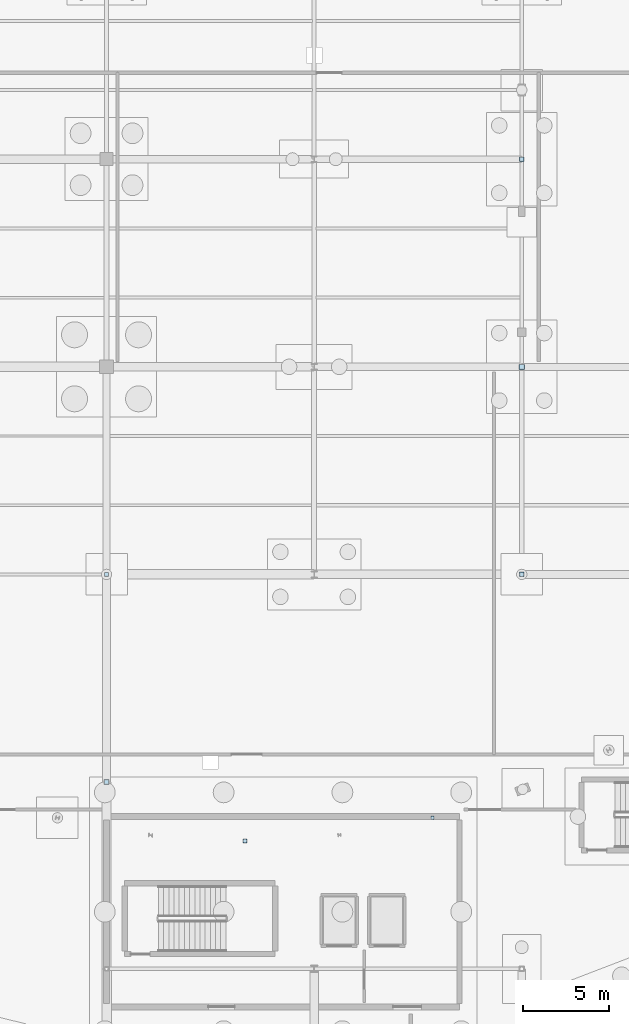
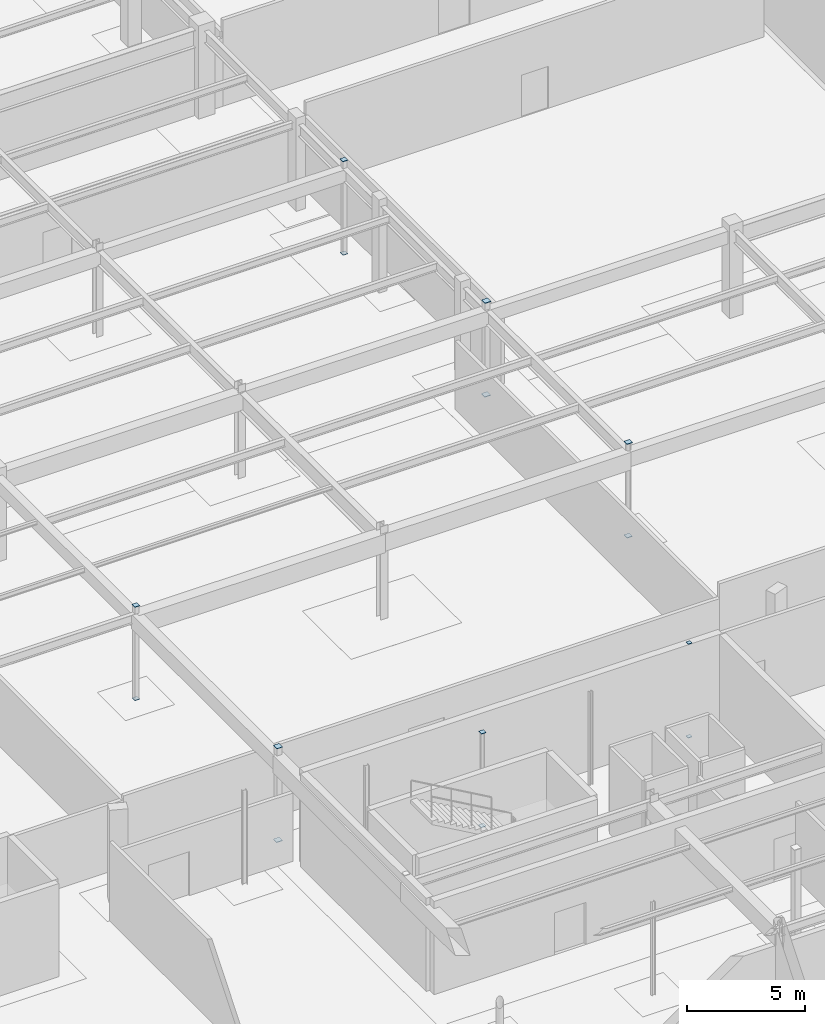
# One storey, part 95 of 136: 14 plates.
"""IFC4 building model written with IfcOpenShell, lengths in metres."""

import ifcopenshell
import ifcopenshell.guid

model = None  # the IFC model being written
_history = None  # IfcOwnerHistory: only IFC2X3 demands one
_inside = {}  # id of a spatial element -> (the spatial element, [elements in it])
_under = {}  # id of a project, library or spatial element -> (it, [spatial elements below it])
_declared = {}  # id of a project -> (the project, [libraries it declares])
_typed = {}  # id of a type object -> (the type object, [elements of that type])
_made_of = {}  # id of a material, layer set ... -> (it, [elements and type objects made of it])


def new_model(schema):
    """Start an empty IFC model of exactly this schema.

    Asked for "IFC4X3", IfcOpenShell would pick the latest addendum, in which some entities
    have other attributes; the version numbers below select the first issue.
    IFC2X3 requires an IfcOwnerHistory on every rooted entity: one is made here for all.
    """
    global model, _history
    if schema == "IFC4X3":
        model = ifcopenshell.file(schema_version=(4, 3, 0, 0))
    else:
        model = ifcopenshell.file(schema=schema)
    _inside.clear()
    _under.clear()
    _declared.clear()
    _typed.clear()
    _made_of.clear()
    _history = None
    if model.schema == "IFC2X3":
        org = make("IfcOrganization", Name="unknown")
        user = make(
            "IfcPersonAndOrganization",
            ThePerson=make("IfcPerson", FamilyName="unknown"),
            TheOrganization=org,
        )
        app = make(
            "IfcApplication",
            ApplicationDeveloper=org,
            Version="unknown",
            ApplicationFullName="unknown",
            ApplicationIdentifier="unknown",
        )
        _history = make(
            "IfcOwnerHistory",
            OwningUser=user,
            OwningApplication=app,
            ChangeAction="ADDED",
            CreationDate=0,
        )
    return model


def make(cls, **values):
    """One entity of the class cls with the attributes given. An attribute that is None is left unset."""
    return model.create_entity(
        cls, **{name: value for name, value in values.items() if value is not None}
    )


def rooted(cls, **values):
    """An entity with a GlobalId (a new one), such as an element, a storey or a relation."""
    return make(cls, GlobalId=ifcopenshell.guid.new(), OwnerHistory=_history, **values)


def si_unit(unit_type, name, prefix=None):
    """IfcSIUnit, for example si_unit("LENGTHUNIT", "METRE", prefix="MILLI")."""
    return make("IfcSIUnit", UnitType=unit_type, Prefix=prefix, Name=name)


def assignment(units):
    """IfcUnitAssignment: the units of a project."""
    return None if units is None else make("IfcUnitAssignment", Units=units)


def point(xyz):
    """IfcCartesianPoint."""
    return None if xyz is None else make("IfcCartesianPoint", Coordinates=xyz)


def direction(xyz):
    """IfcDirection."""
    return None if xyz is None else make("IfcDirection", DirectionRatios=xyz)


def frame(location, z_axis=None, x_axis=None):
    """IfcAxis2Placement3D, a coordinate frame: its origin and axes. An axis left out is left unset."""
    return make(
        "IfcAxis2Placement3D",
        Location=point(location),
        Axis=direction(z_axis),
        RefDirection=direction(x_axis),
    )


def frame_2d(location, x_axis=None):
    """IfcAxis2Placement2D, a coordinate frame in the plane: its origin and x axis."""
    return make(
        "IfcAxis2Placement2D", Location=point(location), RefDirection=direction(x_axis)
    )


def origin():
    """The frame at (0, 0, 0) with its axes left unset."""
    return frame((0.0, 0.0, 0.0))


def origin_2d():
    """The frame at (0, 0) in the plane with its x axis left unset."""
    return frame_2d((0.0, 0.0))


def place(relative_to, where):
    """IfcLocalPlacement: puts the frame where relative to a parent placement (None: the world)."""
    return make(
        "IfcLocalPlacement", PlacementRelTo=relative_to, RelativePlacement=where
    )


def context(
    kind, dimensions, precision=None, world=None, true_north=None, identifier=None
):
    """IfcGeometricRepresentationContext, for example the 3D "Model" context."""
    return make(
        "IfcGeometricRepresentationContext",
        ContextIdentifier=identifier,
        ContextType=kind,
        CoordinateSpaceDimension=dimensions,
        Precision=precision,
        WorldCoordinateSystem=world,
        TrueNorth=true_north,
    )


def subcontext(parent, identifier, kind, view, scale=None):
    """IfcGeometricRepresentationSubContext, for example "Body" below "Model"."""
    return make(
        "IfcGeometricRepresentationSubContext",
        ContextIdentifier=identifier,
        ContextType=kind,
        ParentContext=parent,
        TargetScale=scale,
        TargetView=view,
    )


def project(units=None, contexts=None):
    """IfcProject with its units and contexts."""
    return rooted(
        "IfcProject",
        Name="project",
        RepresentationContexts=contexts,
        UnitsInContext=assignment(units),
    )


def spatial(cls, under=None, at=None, **own):
    """A site, building, storey or space (cls), placed at a placement, below another one or the project."""
    s = rooted(cls, ObjectPlacement=at, **own)
    if under is not None:
        _under.setdefault(under.id(), (under, []))[1].append(s)
    return s


def profile(cls, at=None, kind="AREA", **sizes):
    """A parametric profile (cls). Its sizes go by their IFC names, for example OverallWidth=200.0."""
    return make(cls, ProfileType=kind, Position=at, **sizes)


def rectangle(**sizes):
    """IfcRectangleProfileDef."""
    return profile("IfcRectangleProfileDef", **sizes)


def extrude(swept, where, along, depth):
    """IfcExtrudedAreaSolid: the profile swept, set in the frame where, extruded along a direction by depth."""
    return make(
        "IfcExtrudedAreaSolid",
        SweptArea=swept,
        Position=where,
        ExtrudedDirection=direction(along),
        Depth=depth,
    )


def shape(context_of_items, identifier, shape_type, items):
    """IfcShapeRepresentation: the items that make up one representation, for example the "Body"."""
    return make(
        "IfcShapeRepresentation",
        ContextOfItems=context_of_items,
        RepresentationIdentifier=identifier,
        RepresentationType=shape_type,
        Items=items,
    )


def material(Name=None, Category=None):
    """IfcMaterial."""
    return make("IfcMaterial", Name=Name, Category=Category)


def layer(
    of_material, thickness, ventilated=None, Name=None, Category=None, Priority=None
):
    """IfcMaterialLayer: one layer of a wall or slab, of a material (None: an air gap)."""
    return make(
        "IfcMaterialLayer",
        Material=of_material,
        LayerThickness=thickness,
        IsVentilated=ventilated,
        Name=Name,
        Category=Category,
        Priority=Priority,
    )


def layer_set(layers, Name=None):
    """IfcMaterialLayerSet."""
    return make("IfcMaterialLayerSet", MaterialLayers=layers, LayerSetName=Name)


def made_of(thing, what):
    """Note that an element or type object is made of a material, layer set ...; save() writes the relation."""
    if what is not None:
        _made_of.setdefault(what.id(), (what, []))[1].append(thing)
    return thing


def type_object(cls, material=None, **own):
    """A type object (cls), such as IfcWallType, which elements share."""
    return made_of(rooted(cls, **own), material)


def element(
    cls,
    number,
    at=None,
    inside=None,
    cuts=None,
    type_object=None,
    material=None,
    context=None,
    identifier="Body",
    shape_type=None,
    held_by="IfcProductDefinitionShape",
    body=None,
    shapes=None,
    **own,
):
    """One element of the class cls, such as IfcWall. Its Tag is "e" and its number.

    at: its placement. inside: the storey or other place that contains it. cuts: it is an
    opening in that element (IfcRelVoidsElement). A single representation is given by context,
    identifier, shape_type and body (its items); several are given by shapes. held_by: the class
    of the entity that holds the representations. save() writes the other relations.
    """
    e = rooted(cls, Tag="e%d" % number, ObjectPlacement=at, **own)
    if body is not None:
        shapes = [shape(context, identifier, shape_type, body)]
    if shapes is not None:
        e.Representation = make(held_by, Representations=shapes)
    if inside is not None:
        _inside.setdefault(inside.id(), (inside, []))[1].append(e)
    if cuts is not None:
        rooted(
            "IfcRelVoidsElement", RelatingBuildingElement=cuts, RelatedOpeningElement=e
        )
    if type_object is not None:
        _typed.setdefault(type_object.id(), (type_object, []))[1].append(e)
    return made_of(e, material)


def aggregate(whole, parts):
    """IfcRelAggregates: a whole, such as a stair, and the parts it consists of."""
    return rooted("IfcRelAggregates", RelatingObject=whole, RelatedObjects=parts)


def save(model, path):
    """Write the relations noted so far, then the file.

    IfcRelAggregates (storeys below a building ...), IfcRelContainedInSpatialStructure (elements
    in a storey), IfcRelDefinesByType, IfcRelAssociatesMaterial and IfcRelDeclares: one each for
    every whole, place, type object, material and project.
    """
    for whole, parts in _under.values():
        aggregate(whole, parts)
    for where, things in _inside.values():
        rooted(
            "IfcRelContainedInSpatialStructure",
            RelatedElements=things,
            RelatingStructure=where,
        )
    for kind, things in _typed.values():
        rooted("IfcRelDefinesByType", RelatedObjects=things, RelatingType=kind)
    for what, things in _made_of.values():
        rooted("IfcRelAssociatesMaterial", RelatedObjects=things, RelatingMaterial=what)
    for by, libraries in _declared.values():
        rooted("IfcRelDeclares", RelatingContext=by, RelatedDefinitions=libraries)
    model.write(path)


model = new_model("IFC4")

# Units and contexts
model_context = context("Model", 3, precision=1e-05, world=origin(), true_north=direction((0.0, 1.0)))
body_context = subcontext(model_context, "Body", "Model", "MODEL_VIEW")
ifc_project = project(units=[si_unit("LENGTHUNIT", "METRE"), si_unit("AREAUNIT", "SQUARE_METRE"), si_unit("VOLUMEUNIT", "CUBIC_METRE"), si_unit("PLANEANGLEUNIT", "RADIAN"), si_unit("MASSUNIT", "GRAM", prefix="KILO")], contexts=[model_context])

# Site, building, storey
site_placement = place(None, origin())
site = spatial("IfcSite", under=ifc_project, at=site_placement, CompositionType="ELEMENT")
building_placement = place(site_placement, origin())
building = spatial("IfcBuilding", under=site, at=building_placement, Name="Tarnwether General Hospital", CompositionType="ELEMENT")
storey_placement = place(building_placement, frame((0.0, 0.0, -4.800048828125)))
storey = spatial("IfcBuildingStorey", under=building, at=storey_placement, Name="LG", CompositionType="ELEMENT", Elevation=-4.800048828125)

# Plates
ifc_material = material(Name="Steel Grade 350 (350 MPa)", Category="steel")
ifc_layer = layer(ifc_material, 0.02490234375)
ifc_layer_set = layer_set([ifc_layer], Name="Steel Grade 350 (350 MPa)")
plate_type = type_object("IfcPlateType", Name="PT-GUS2", PredefinedType="USERDEFINED", material=ifc_layer_set)
for number, where, z_axis, x_axis, name in (
    (1, (84.0, 21.60009765625, -0.02490234375), (0.0, 0.0, 1.0), (1.0, 0.0, 0.0), "Hollow Section Welded End Cap Plate 0155"),
    (2, (84.0, 21.60009765625, 4.800048828125), (0.0, 0.0, 1.0), (1.0, 0.0, 0.0), "Hollow Section Welded End Cap Plate 0156"),
):
    element("IfcPlate", number, at=place(storey_placement, frame(where, z_axis=z_axis, x_axis=x_axis)), inside=storey, type_object=plate_type, Name=name, ObjectType="GUSSET", PredefinedType="USERDEFINED", context=body_context, shape_type="SweptSolid", body=[
        extrude(rectangle(XDim=0.2900390625, YDim=0.2900390625, at=origin_2d()), origin(), (0.0, 0.0, 1.0), 0.02490234375),
    ])
for number, where, z_axis, x_axis, name in (
    (3, (84.0, 33.60009765625, -0.02490234375), (0.0, 0.0, 1.0), (1.0, 0.0, 0.0), "Hollow Section Welded End Cap Plate 0159"),
    (4, (84.0, 33.60009765625, 4.800048828125), (0.0, 0.0, 1.0), (1.0, 0.0, 0.0), "Hollow Section Welded End Cap Plate 0160"),
):
    element("IfcPlate", number, at=place(storey_placement, frame(where, z_axis=z_axis, x_axis=x_axis)), inside=storey, type_object=plate_type, Name=name, ObjectType="GUSSET", PredefinedType="USERDEFINED", context=body_context, shape_type="SweptSolid", body=[
        extrude(rectangle(XDim=0.239990234375, YDim=0.239990234375, at=origin_2d()), origin(), (0.0, 0.0, 1.0), 0.02490234375),
    ])
for number, where, z_axis, x_axis, name in (
    (5, (108.0, 33.60009765625, -0.02490234375), (0.0, 0.0, 1.0), (1.0, 0.0, 0.0), "Hollow Section Welded End Cap Plate 0197"),
    (6, (108.0, 33.60009765625, 4.800048828125), (0.0, 0.0, 1.0), (1.0, 0.0, 0.0), "Hollow Section Welded End Cap Plate 0198"),
):
    element("IfcPlate", number, at=place(storey_placement, frame(where, z_axis=z_axis, x_axis=x_axis)), inside=storey, type_object=plate_type, Name=name, ObjectType="GUSSET", PredefinedType="USERDEFINED", context=body_context, shape_type="SweptSolid", body=[
        extrude(rectangle(XDim=0.259033203125, YDim=0.259033203125, at=origin_2d()), origin(), (0.0, 0.0, 1.0), 0.02490234375),
    ])
for number, where, z_axis, x_axis, name in (
    (7, (108.0, 45.60009765625, -0.02490234375), (0.0, 0.0, 1.0), (1.0, 0.0, 0.0), "Hollow Section Welded End Cap Plate 0203"),
    (8, (108.0, 45.60009765625, 4.800048828125), (0.0, 0.0, 1.0), (1.0, 0.0, 0.0), "Hollow Section Welded End Cap Plate 0204"),
):
    element("IfcPlate", number, at=place(storey_placement, frame(where, z_axis=z_axis, x_axis=x_axis)), inside=storey, type_object=plate_type, Name=name, ObjectType="GUSSET", PredefinedType="USERDEFINED", context=body_context, shape_type="SweptSolid", body=[
        extrude(rectangle(XDim=0.2900390625, YDim=0.2900390625, at=origin_2d()), origin(), (0.0, 0.0, 1.0), 0.02490234375),
    ])
for number, where, z_axis, x_axis, name in (
    (9, (108.0, 57.60009765625, -0.02490234375), (0.0, 0.0, 1.0), (1.0, 0.0, 0.0), "Hollow Section Welded End Cap Plate 0207"),
    (10, (108.0, 57.60009765625, 4.800048828125), (0.0, 0.0, 1.0), (1.0, 0.0, 0.0), "Hollow Section Welded End Cap Plate 0208"),
):
    element("IfcPlate", number, at=place(storey_placement, frame(where, z_axis=z_axis, x_axis=x_axis)), inside=storey, type_object=plate_type, Name=name, ObjectType="GUSSET", PredefinedType="USERDEFINED", context=body_context, shape_type="SweptSolid", body=[
        extrude(rectangle(XDim=0.239990234375, YDim=0.239990234375, at=origin_2d()), origin(), (0.0, 0.0, 1.0), 0.02490234375),
    ])
for number, where, z_axis, x_axis, name in (
    (11, (92.0, 18.199951171875, -0.02490234375), (0.0, 0.0, 1.0), (1.0, 0.0, 0.0), "Hollow Section Welded End Cap Plate 0685"),
    (12, (92.0, 18.199951171875, 4.800048828125), (0.0, 0.0, 1.0), (1.0, 0.0, 0.0), "Hollow Section Welded End Cap Plate 0686"),
):
    element("IfcPlate", number, at=place(storey_placement, frame(where, z_axis=z_axis, x_axis=x_axis)), inside=storey, type_object=plate_type, Name=name, ObjectType="GUSSET", PredefinedType="USERDEFINED", context=body_context, shape_type="SweptSolid", body=[
        extrude(rectangle(XDim=0.23388671875, YDim=0.23388671875, at=origin_2d()), origin(), (0.0, 0.0, 1.0), 0.02490234375),
    ])
for number, where, z_axis, x_axis, name in (
    (13, (102.837890625, 19.531005859375, -0.02490234375), (0.0, 0.0, 1.0), (1.0, 0.0, 0.0), "Hollow Section Welded End Cap Plate 0711"),
    (14, (102.837890625, 19.531005859375, 4.800048828125), (0.0, 0.0, 1.0), (1.0, 0.0, 0.0), "Hollow Section Welded End Cap Plate 0712"),
):
    element("IfcPlate", number, at=place(storey_placement, frame(where, z_axis=z_axis, x_axis=x_axis)), inside=storey, type_object=plate_type, Name=name, ObjectType="GUSSET", PredefinedType="USERDEFINED", context=body_context, shape_type="SweptSolid", body=[
        extrude(rectangle(XDim=0.18994140625, YDim=0.18994140625, at=origin_2d()), origin(), (0.0, 0.0, 1.0), 0.02490234375),
    ])

save(model, "model.ifc")
